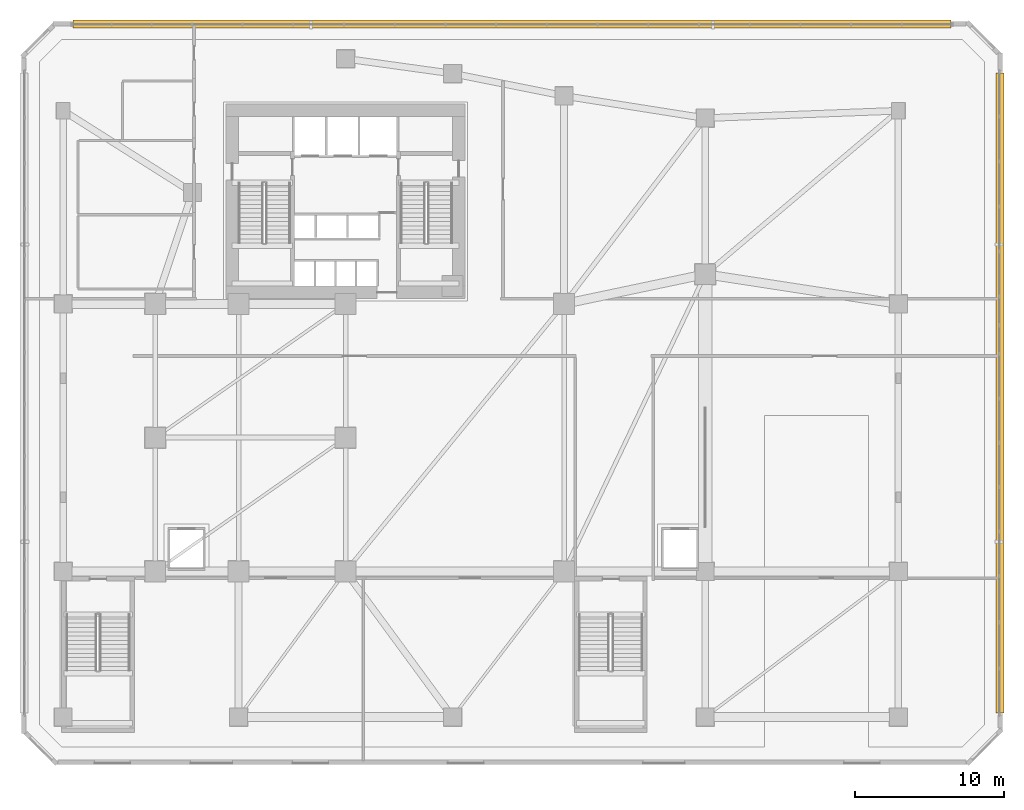
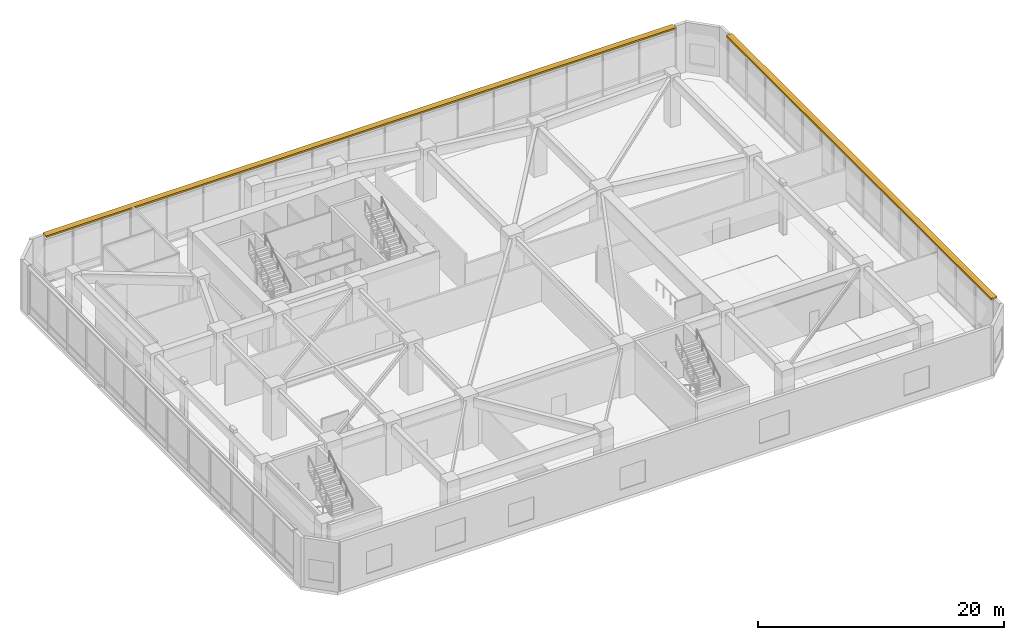
# One storey, part 18 of 18: 2 shading devices.
"""IFC4 building model written with IfcOpenShell, lengths in metres."""

from ifc_helpers import new_model, si_unit, direction, frame, frame_2d, origin, place, context, subcontext, project, spatial, rectangle, extrude, material, type_object, element, save


model = new_model("IFC4")

# Units and contexts
model_context = context("Model", 3, precision=1e-05, world=origin(), true_north=direction((0.0, 1.0)))
body_context = subcontext(model_context, "Body", "Model", "MODEL_VIEW")
ifc_project = project(units=[si_unit("LENGTHUNIT", "METRE"), si_unit("AREAUNIT", "SQUARE_METRE"), si_unit("VOLUMEUNIT", "CUBIC_METRE"), si_unit("PLANEANGLEUNIT", "RADIAN"), si_unit("MASSUNIT", "GRAM", prefix="KILO")], contexts=[model_context])

# Site, building, storey
site_placement = place(None, origin())
site = spatial("IfcSite", under=ifc_project, at=site_placement, CompositionType="ELEMENT")
building_placement = place(site_placement, origin())
building = spatial("IfcBuilding", under=site, at=building_placement, Name="Calvemar Wedge Station Tower", CompositionType="ELEMENT")
storey_placement = place(building_placement, frame((0.0, 0.0, 11.199951171875)))
storey = spatial("IfcBuildingStorey", under=building, at=storey_placement, Name="L03", CompositionType="ELEMENT", Elevation=11.199951171875)

# Shading devices
ifc_material = material(Name="Precast concrete C45", Category="concrete")
shading_device_type = type_object("IfcShadingDeviceType", Name="SHD-EYEBROW-1", PredefinedType="SHUTTER", material=ifc_material)
shading_device_1_placement = place(storey_placement, frame((67.830078125, 5.462158203125, 4.719970703125), z_axis=(0.0, 0.0, 1.0), x_axis=(0.0, 1.0, 0.0)))
element("IfcShadingDevice", 1, at=shading_device_1_placement, inside=storey, type_object=shading_device_type, Name="Storey L03 Bronze GFRC Solar Eyebrow 2", PredefinedType="SHUTTER", context=body_context, shape_type="SweptSolid", body=[
    extrude(rectangle(XDim=43.07568359375, YDim=0.550048828125, at=frame_2d((21.537841796875, 0.0))), origin(), (0.0, 0.0, 1.0), 0.16015625),
])
shading_device_2_placement = place(storey_placement, frame((64.537841796875, 51.830078125, 4.719970703125), z_axis=(0.0, 0.0, 1.0), x_axis=(-1.0, 0.0, 0.0)))
element("IfcShadingDevice", 2, at=shading_device_2_placement, inside=storey, type_object=shading_device_type, Name="Storey L03 Bronze GFRC Solar Eyebrow 4", PredefinedType="SHUTTER", context=body_context, shape_type="SweptSolid", body=[
    extrude(rectangle(XDim=59.07568359375, YDim=0.550048828125, at=frame_2d((29.537841796875, 0.0))), origin(), (0.0, 0.0, 1.0), 0.16015625),
])

save(model, "model.ifc")
